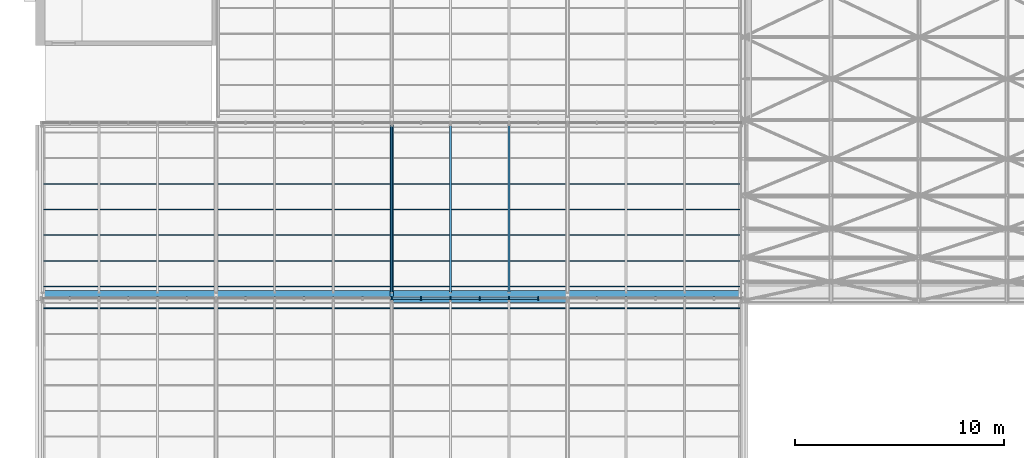
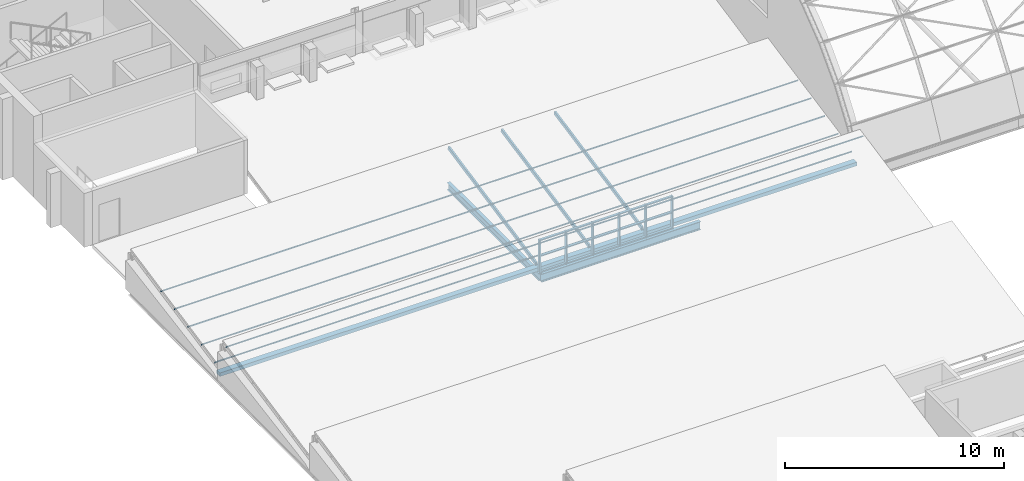
# One storey, part 23 of 121: 31 members, 2 beams, 1 element without a shape of its own.
"""IFC4 building model written with IfcOpenShell, lengths in metres."""

from ifc_helpers import new_model, si_unit, direction, frame, origin, origin_2d, place, context, subcontext, project, spatial, rectangle, hollow_rectangle, i_section, extrude, material, layer, layer_set, material_profile, profile_set, type_object, element, aggregate, save


model = new_model("IFC4")

# Units and contexts
model_context = context("Model", 3, precision=1e-05, world=origin(), true_north=direction((0.0, 1.0)))
body_context = subcontext(model_context, "Body", "Model", "MODEL_VIEW")
ifc_project = project(units=[si_unit("LENGTHUNIT", "METRE"), si_unit("AREAUNIT", "SQUARE_METRE"), si_unit("VOLUMEUNIT", "CUBIC_METRE"), si_unit("PLANEANGLEUNIT", "RADIAN"), si_unit("MASSUNIT", "GRAM", prefix="KILO")], contexts=[model_context])

# Site, building, storey
site_placement = place(None, origin())
site = spatial("IfcSite", under=ifc_project, at=site_placement, CompositionType="ELEMENT")
building_placement = place(site_placement, origin())
building = spatial("IfcBuilding", under=site, at=building_placement, Name="Ardhachandra Cancer Care Centre", CompositionType="ELEMENT")
storey_placement = place(building_placement, frame((0.0, 0.0, 9.0)))
storey = spatial("IfcBuildingStorey", under=building, at=storey_placement, Name="L02", CompositionType="ELEMENT", Elevation=9.0)

# Beams
ifc_material_1 = material(Name="Steel E350 (IS 2062)", Category="steel")
ifc_material_profile_1 = material_profile(ifc_material_1, i_section(OverallWidth=0.179931640625, OverallDepth=0.39990234375, WebThickness=0.008544921875, FlangeThickness=0.013427734375, FilletRadius=0.02099609375, at=origin_2d()), Name="NPB 400x180x66.30")
ifc_profile_set_1 = profile_set([ifc_material_profile_1], Name="Steel E350 (IS 2062)")
beam_type_1 = type_object("IfcBeamType", Name="Beam NPB 400x180x66.30", PredefinedType="BEAM", material=ifc_profile_set_1)
beam_1_placement = place(storey_placement, frame((27.60009765625, 54.60009765625, -0.199951171875), z_axis=(0.0, 1.0, 0.0), x_axis=(-1.0, 0.0, 0.0)))
element("IfcBeam", 1, at=beam_1_placement, inside=storey, type_object=beam_type_1, Name="Roof girder F3-G3", PredefinedType="BEAM", context=body_context, shape_type="SweptSolid", body=[
    extrude(i_section(OverallWidth=0.179931640625, OverallDepth=0.39990234375, WebThickness=0.008544921875, FlangeThickness=0.013427734375, FilletRadius=0.02099609375, at=origin_2d()), origin(), (0.0, 0.0, 1.0), 8.39990234375),
])
ifc_material_2 = material(Name="Steel E350 (IS 2062)", Category="steel")
ifc_material_profile_2 = material_profile(ifc_material_2, i_section(OverallWidth=0.19189453125, OverallDepth=0.4560546875, WebThickness=0.010986328125, FlangeThickness=0.017578125, FilletRadius=0.02099609375, at=origin_2d()), Name="NPB 450x190x92.36")
ifc_profile_set_2 = profile_set([ifc_material_profile_2], Name="Steel E350 (IS 2062)")
beam_type_2 = type_object("IfcBeamType", Name="Beam NPB 450x190x92.36", PredefinedType="BEAM", material=ifc_profile_set_2)
beam_2_placement = place(storey_placement, frame((27.60009765625, 54.60009765625, -0.22802734375), z_axis=(1.0, 0.0, 0.0), x_axis=(0.0, 1.0, 0.0)))
element("IfcBeam", 2, at=beam_2_placement, inside=storey, type_object=beam_type_2, Name="Roof girder F3-F4", PredefinedType="BEAM", context=body_context, shape_type="SweptSolid", body=[
    extrude(i_section(OverallWidth=0.19189453125, OverallDepth=0.4560546875, WebThickness=0.010986328125, FlangeThickness=0.017578125, FilletRadius=0.02099609375, at=origin_2d()), origin(), (0.0, 0.0, 1.0), 8.39990234375),
])

# Curtain wall, members
ifc_material_3 = material(Name="Aluminium extrusion", Category="aluminium")
ifc_layer = layer(ifc_material_3, 0.14990234375)
ifc_layer_set = layer_set([ifc_layer], Name="Aluminium extrusion")
curtain_wall_type = type_object("IfcCurtainWallType", Name="Curtain wall run", PredefinedType="NOTDEFINED", material=ifc_layer_set)
curtain_wall_placement = place(storey_placement, origin())
curtain_wall = element("IfcCurtainWall", 3, at=curtain_wall_placement, inside=storey, type_object=curtain_wall_type, Name="Curtain wall L02 n/0010800_0054700", PredefinedType="NOTDEFINED")
ifc_material_4 = material(Name="Aluminium extrusion", Category="aluminium")
ifc_material_profile_3 = material_profile(ifc_material_4, rectangle(XDim=0.159912109375, YDim=0.06005859375, at=origin_2d()), Name="Curtain wall mullion 60 x 160")
ifc_profile_set_3 = profile_set([ifc_material_profile_3], Name="Aluminium extrusion")
member_type_1 = type_object("IfcMemberType", Name="Curtain wall mullion 60 x 160", PredefinedType="MULLION", material=ifc_profile_set_3)
member_1_placement = place(storey_placement, frame((27.60009765625, 54.699951171875, 0.0), z_axis=(0.0, 0.0, 1.0), x_axis=(0.0, 1.0, 0.0)))
member_1 = element("IfcMember", 4, at=member_1_placement, type_object=member_type_1, Name="CW mullion 13", PredefinedType="MULLION", context=body_context, shape_type="SweptSolid", body=[
    extrude(rectangle(XDim=0.159912109375, YDim=0.06005859375, at=origin_2d()), origin(), (0.0, 0.0, 1.0), 1.820068359375),
])
member_2_placement = place(storey_placement, frame((29.0, 54.699951171875, 0.0), z_axis=(0.0, 0.0, 1.0), x_axis=(0.0, 1.0, 0.0)))
member_2 = element("IfcMember", 5, at=member_2_placement, type_object=member_type_1, Name="CW mullion 14", PredefinedType="MULLION", context=body_context, shape_type="SweptSolid", body=[
    extrude(rectangle(XDim=0.159912109375, YDim=0.06005859375, at=origin_2d()), origin(), (0.0, 0.0, 1.0), 1.820068359375),
])
member_3_placement = place(storey_placement, frame((30.39990234375, 54.699951171875, 0.0), z_axis=(0.0, 0.0, 1.0), x_axis=(0.0, 1.0, 0.0)))
member_3 = element("IfcMember", 6, at=member_3_placement, type_object=member_type_1, Name="CW mullion 15", PredefinedType="MULLION", context=body_context, shape_type="SweptSolid", body=[
    extrude(rectangle(XDim=0.159912109375, YDim=0.06005859375, at=origin_2d()), origin(), (0.0, 0.0, 1.0), 1.820068359375),
])
member_4_placement = place(storey_placement, frame((31.800048828125, 54.699951171875, 0.0), z_axis=(0.0, 0.0, 1.0), x_axis=(0.0, 1.0, 0.0)))
member_4 = element("IfcMember", 7, at=member_4_placement, type_object=member_type_1, Name="CW mullion 16", PredefinedType="MULLION", context=body_context, shape_type="SweptSolid", body=[
    extrude(rectangle(XDim=0.159912109375, YDim=0.06005859375, at=origin_2d()), origin(), (0.0, 0.0, 1.0), 1.820068359375),
])
member_5_placement = place(storey_placement, frame((33.199951171875, 54.699951171875, 0.0), z_axis=(0.0, 0.0, 1.0), x_axis=(0.0, 1.0, 0.0)))
member_5 = element("IfcMember", 8, at=member_5_placement, type_object=member_type_1, Name="CW mullion 17", PredefinedType="MULLION", context=body_context, shape_type="SweptSolid", body=[
    extrude(rectangle(XDim=0.159912109375, YDim=0.06005859375, at=origin_2d()), origin(), (0.0, 0.0, 1.0), 1.820068359375),
])
member_6_placement = place(storey_placement, frame((34.60009765625, 54.699951171875, 0.0), z_axis=(0.0, 0.0, 1.0), x_axis=(0.0, 1.0, 0.0)))
member_6 = element("IfcMember", 9, at=member_6_placement, type_object=member_type_1, Name="CW mullion 18", PredefinedType="MULLION", context=body_context, shape_type="SweptSolid", body=[
    extrude(rectangle(XDim=0.159912109375, YDim=0.06005859375, at=origin_2d()), origin(), (0.0, 0.0, 1.0), 1.820068359375),
])
ifc_material_5 = material(Name="Aluminium extrusion", Category="aluminium")
ifc_material_profile_4 = material_profile(ifc_material_5, rectangle(XDim=0.1201171875, YDim=0.06005859375, at=origin_2d()), Name="Curtain wall transom 60 x 120")
ifc_profile_set_4 = profile_set([ifc_material_profile_4], Name="Aluminium extrusion")
member_type_2 = type_object("IfcMemberType", Name="Curtain wall transom 60 x 120", PredefinedType="USERDEFINED", material=ifc_profile_set_4)
member_7_placement = place(storey_placement, frame((27.6298828125, 54.699951171875, 0.030029296875), z_axis=(1.0, 0.0, 0.0), x_axis=(0.0, 1.0, 0.0)))
member_7 = element("IfcMember", 10, at=member_7_placement, type_object=member_type_2, Name="CW transom 13.1", ObjectType="TRANSOM", PredefinedType="USERDEFINED", context=body_context, shape_type="SweptSolid", body=[
    extrude(rectangle(XDim=0.1201171875, YDim=0.06005859375, at=origin_2d()), origin(), (0.0, 0.0, 1.0), 1.340087890625),
])
member_8_placement = place(storey_placement, frame((27.6298828125, 54.699951171875, 0.909912109375), z_axis=(1.0, 0.0, 0.0), x_axis=(0.0, 1.0, 0.0)))
member_8 = element("IfcMember", 11, at=member_8_placement, type_object=member_type_2, Name="CW transom 13.2", ObjectType="TRANSOM", PredefinedType="USERDEFINED", context=body_context, shape_type="SweptSolid", body=[
    extrude(rectangle(XDim=0.1201171875, YDim=0.06005859375, at=origin_2d()), origin(), (0.0, 0.0, 1.0), 1.340087890625),
])
member_9_placement = place(storey_placement, frame((27.6298828125, 54.699951171875, 1.7900390625), z_axis=(1.0, 0.0, 0.0), x_axis=(0.0, 1.0, 0.0)))
member_9 = element("IfcMember", 12, at=member_9_placement, type_object=member_type_2, Name="CW transom 13.3", ObjectType="TRANSOM", PredefinedType="USERDEFINED", context=body_context, shape_type="SweptSolid", body=[
    extrude(rectangle(XDim=0.1201171875, YDim=0.06005859375, at=origin_2d()), origin(), (0.0, 0.0, 1.0), 1.340087890625),
])
member_10_placement = place(storey_placement, frame((29.030029296875, 54.699951171875, 0.030029296875), z_axis=(1.0, 0.0, 0.0), x_axis=(0.0, 1.0, 0.0)))
member_10 = element("IfcMember", 13, at=member_10_placement, type_object=member_type_2, Name="CW transom 14.1", ObjectType="TRANSOM", PredefinedType="USERDEFINED", context=body_context, shape_type="SweptSolid", body=[
    extrude(rectangle(XDim=0.1201171875, YDim=0.06005859375, at=origin_2d()), origin(), (0.0, 0.0, 1.0), 1.340087890625),
])
member_11_placement = place(storey_placement, frame((29.030029296875, 54.699951171875, 0.909912109375), z_axis=(1.0, 0.0, 0.0), x_axis=(0.0, 1.0, 0.0)))
member_11 = element("IfcMember", 14, at=member_11_placement, type_object=member_type_2, Name="CW transom 14.2", ObjectType="TRANSOM", PredefinedType="USERDEFINED", context=body_context, shape_type="SweptSolid", body=[
    extrude(rectangle(XDim=0.1201171875, YDim=0.06005859375, at=origin_2d()), origin(), (0.0, 0.0, 1.0), 1.340087890625),
])
member_12_placement = place(storey_placement, frame((29.030029296875, 54.699951171875, 1.7900390625), z_axis=(1.0, 0.0, 0.0), x_axis=(0.0, 1.0, 0.0)))
member_12 = element("IfcMember", 15, at=member_12_placement, type_object=member_type_2, Name="CW transom 14.3", ObjectType="TRANSOM", PredefinedType="USERDEFINED", context=body_context, shape_type="SweptSolid", body=[
    extrude(rectangle(XDim=0.1201171875, YDim=0.06005859375, at=origin_2d()), origin(), (0.0, 0.0, 1.0), 1.340087890625),
])
member_13_placement = place(storey_placement, frame((30.429931640625, 54.699951171875, 0.030029296875), z_axis=(1.0, 0.0, 0.0), x_axis=(0.0, 1.0, 0.0)))
member_13 = element("IfcMember", 16, at=member_13_placement, type_object=member_type_2, Name="CW transom 15.1", ObjectType="TRANSOM", PredefinedType="USERDEFINED", context=body_context, shape_type="SweptSolid", body=[
    extrude(rectangle(XDim=0.1201171875, YDim=0.06005859375, at=origin_2d()), origin(), (0.0, 0.0, 1.0), 1.340087890625),
])
member_14_placement = place(storey_placement, frame((30.429931640625, 54.699951171875, 0.909912109375), z_axis=(1.0, 0.0, 0.0), x_axis=(0.0, 1.0, 0.0)))
member_14 = element("IfcMember", 17, at=member_14_placement, type_object=member_type_2, Name="CW transom 15.2", ObjectType="TRANSOM", PredefinedType="USERDEFINED", context=body_context, shape_type="SweptSolid", body=[
    extrude(rectangle(XDim=0.1201171875, YDim=0.06005859375, at=origin_2d()), origin(), (0.0, 0.0, 1.0), 1.340087890625),
])
member_15_placement = place(storey_placement, frame((30.429931640625, 54.699951171875, 1.7900390625), z_axis=(1.0, 0.0, 0.0), x_axis=(0.0, 1.0, 0.0)))
member_15 = element("IfcMember", 18, at=member_15_placement, type_object=member_type_2, Name="CW transom 15.3", ObjectType="TRANSOM", PredefinedType="USERDEFINED", context=body_context, shape_type="SweptSolid", body=[
    extrude(rectangle(XDim=0.1201171875, YDim=0.06005859375, at=origin_2d()), origin(), (0.0, 0.0, 1.0), 1.340087890625),
])
member_16_placement = place(storey_placement, frame((31.830078125, 54.699951171875, 0.030029296875), z_axis=(1.0, 0.0, 0.0), x_axis=(0.0, 1.0, 0.0)))
member_16 = element("IfcMember", 19, at=member_16_placement, type_object=member_type_2, Name="CW transom 16.1", ObjectType="TRANSOM", PredefinedType="USERDEFINED", context=body_context, shape_type="SweptSolid", body=[
    extrude(rectangle(XDim=0.1201171875, YDim=0.06005859375, at=origin_2d()), origin(), (0.0, 0.0, 1.0), 1.33984375),
])
member_17_placement = place(storey_placement, frame((31.830078125, 54.699951171875, 0.909912109375), z_axis=(1.0, 0.0, 0.0), x_axis=(0.0, 1.0, 0.0)))
member_17 = element("IfcMember", 20, at=member_17_placement, type_object=member_type_2, Name="CW transom 16.2", ObjectType="TRANSOM", PredefinedType="USERDEFINED", context=body_context, shape_type="SweptSolid", body=[
    extrude(rectangle(XDim=0.1201171875, YDim=0.06005859375, at=origin_2d()), origin(), (0.0, 0.0, 1.0), 1.33984375),
])
member_18_placement = place(storey_placement, frame((31.830078125, 54.699951171875, 1.7900390625), z_axis=(1.0, 0.0, 0.0), x_axis=(0.0, 1.0, 0.0)))
member_18 = element("IfcMember", 21, at=member_18_placement, type_object=member_type_2, Name="CW transom 16.3", ObjectType="TRANSOM", PredefinedType="USERDEFINED", context=body_context, shape_type="SweptSolid", body=[
    extrude(rectangle(XDim=0.1201171875, YDim=0.06005859375, at=origin_2d()), origin(), (0.0, 0.0, 1.0), 1.33984375),
])
member_19_placement = place(storey_placement, frame((33.22998046875, 54.699951171875, 0.030029296875), z_axis=(1.0, 0.0, 0.0), x_axis=(0.0, 1.0, 0.0)))
member_19 = element("IfcMember", 22, at=member_19_placement, type_object=member_type_2, Name="CW transom 17.1", ObjectType="TRANSOM", PredefinedType="USERDEFINED", context=body_context, shape_type="SweptSolid", body=[
    extrude(rectangle(XDim=0.1201171875, YDim=0.06005859375, at=origin_2d()), origin(), (0.0, 0.0, 1.0), 1.340087890625),
])
member_20_placement = place(storey_placement, frame((33.22998046875, 54.699951171875, 0.909912109375), z_axis=(1.0, 0.0, 0.0), x_axis=(0.0, 1.0, 0.0)))
member_20 = element("IfcMember", 23, at=member_20_placement, type_object=member_type_2, Name="CW transom 17.2", ObjectType="TRANSOM", PredefinedType="USERDEFINED", context=body_context, shape_type="SweptSolid", body=[
    extrude(rectangle(XDim=0.1201171875, YDim=0.06005859375, at=origin_2d()), origin(), (0.0, 0.0, 1.0), 1.340087890625),
])
member_21_placement = place(storey_placement, frame((33.22998046875, 54.699951171875, 1.7900390625), z_axis=(1.0, 0.0, 0.0), x_axis=(0.0, 1.0, 0.0)))
member_21 = element("IfcMember", 24, at=member_21_placement, type_object=member_type_2, Name="CW transom 17.3", ObjectType="TRANSOM", PredefinedType="USERDEFINED", context=body_context, shape_type="SweptSolid", body=[
    extrude(rectangle(XDim=0.1201171875, YDim=0.06005859375, at=origin_2d()), origin(), (0.0, 0.0, 1.0), 1.340087890625),
])
aggregate(curtain_wall, [member_1, member_2, member_3, member_4, member_5, member_6, member_7, member_8, member_9, member_10, member_11, member_12, member_13, member_14, member_15, member_16, member_17, member_18, member_19, member_20, member_21])

# Members
ifc_material_6 = material(Name="Steel E350 (IS 2062)", Category="steel")
ifc_material_profile_5 = material_profile(ifc_material_6, hollow_rectangle(XDim=0.0400390625, YDim=0.080078125, WallThickness=0.00390625, InnerFilletRadius=0.00390625, OuterFilletRadius=0.008056640625, at=origin_2d()), Name="RHS 80x40x4.0")
ifc_profile_set_5 = profile_set([ifc_material_profile_5], Name="Steel E350 (IS 2062)")
member_type_3 = type_object("IfcMemberType", Name="Roof purlin RHS 80x40x4.0", PredefinedType="PURLIN", material=ifc_profile_set_5)
for number, where, z_axis, x_axis, name in (
    (25, (10.800048828125, 54.232421875, 1.990478515625), (1.0, 0.0, 0.0), (0.0, 0.980106641092, 0.198471590126), "Purlin T3a.7"),
    (26, (10.800048828125, 55.2724609375, 0.5), (1.0, 0.0, 0.0), (0.0, 0.980106641092, 0.198471590126), "Purlin T4a.1"),
    (27, (10.800048828125, 56.4990234375, 0.74853515625), (1.0, 0.0, 0.0), (0.0, 0.980106641092, 0.198471590126), "Purlin T4a.2"),
    (28, (10.800048828125, 57.7255859375, 0.996826171875), (1.0, 0.0, 0.0), (0.0, 0.980106641092, 0.198471590126), "Purlin T4a.3"),
    (29, (10.800048828125, 58.952392578125, 1.2451171875), (1.0, 0.0, 0.0), (0.0, 0.980106641092, 0.198471590126), "Purlin T4a.4"),
    (30, (10.800048828125, 60.178955078125, 1.49365234375), (1.0, 0.0, 0.0), (0.0, 0.980106641092, 0.198471590126), "Purlin T4a.5"),
):
    element("IfcMember", number, at=place(storey_placement, frame(where, z_axis=z_axis, x_axis=x_axis)), inside=storey, type_object=member_type_3, Name=name, PredefinedType="PURLIN", context=body_context, shape_type="SweptSolid", body=[
        extrude(hollow_rectangle(XDim=0.0400390625, YDim=0.080078125, WallThickness=0.00390625, InnerFilletRadius=0.00390625, OuterFilletRadius=0.008056640625, at=origin_2d()), origin(), (0.0, 0.0, 1.0), 33.599853515625),
    ])
ifc_material_7 = material(Name="Steel E350 (IS 2062)", Category="steel")
ifc_material_profile_6 = material_profile(ifc_material_7, hollow_rectangle(XDim=0.10009765625, YDim=0.199951171875, WallThickness=0.006103515625, InnerFilletRadius=0.006103515625, OuterFilletRadius=0.011962890625, at=origin_2d()), Name="RHS 200x100x6.0")
ifc_profile_set_6 = profile_set([ifc_material_profile_6], Name="Steel E350 (IS 2062)")
member_type_4 = type_object("IfcMemberType", Name="Roof rafter RHS 200x100x6.0", PredefinedType="RAFTER", material=ifc_profile_set_6)
for number, where, z_axis, x_axis, name in (
    (31, (27.60009765625, 54.980224609375, 0.298095703125), (0.0, 0.980109665583, 0.198456653782), (-1.0, 0.0, 0.0), "Rafter T4a.7"),
    (32, (30.39990234375, 54.980224609375, 0.298095703125), (0.0, 0.980109665583, 0.198456653782), (-1.0, 0.0, 0.0), "Rafter T4a.8"),
    (33, (33.199951171875, 54.980224609375, 0.298095703125), (0.0, 0.980109665583, 0.198456653782), (-1.0, 0.0, 0.0), "Rafter T4a.9"),
):
    element("IfcMember", number, at=place(storey_placement, frame(where, z_axis=z_axis, x_axis=x_axis)), inside=storey, type_object=member_type_4, Name=name, PredefinedType="RAFTER", context=body_context, shape_type="SweptSolid", body=[
        extrude(hollow_rectangle(XDim=0.10009765625, YDim=0.199951171875, WallThickness=0.006103515625, InnerFilletRadius=0.006103515625, OuterFilletRadius=0.011962890625, at=origin_2d()), origin(), (0.0, 0.0, 1.0), 8.162353515625),
    ])
ifc_material_8 = material(Name="Stainless steel sheet gutter on galvanised steel cradle", Category="steel")
ifc_material_profile_7 = material_profile(ifc_material_8, rectangle(XDim=0.300048828125, YDim=0.199951171875, at=origin_2d()), Name="Valley gutter 300 x 200")
ifc_profile_set_7 = profile_set([ifc_material_profile_7], Name="Stainless steel sheet gutter on galvanised steel cradle")
member_type_5 = type_object("IfcMemberType", Name="Valley gutter 300 x 200", PredefinedType="USERDEFINED", material=ifc_profile_set_7)
member_22_placement = place(storey_placement, frame((10.800048828125, 54.93994140625, 0.10009765625), z_axis=(1.0, 0.0, 0.0), x_axis=(0.0, 1.0, 0.0)))
element("IfcMember", 34, at=member_22_placement, inside=storey, type_object=member_type_5, Name="Valley gutter T4a", ObjectType="GUTTER", PredefinedType="USERDEFINED", context=body_context, shape_type="SweptSolid", body=[
    extrude(rectangle(XDim=0.300048828125, YDim=0.199951171875, at=origin_2d()), origin(), (0.0, 0.0, 1.0), 33.599853515625),
])

save(model, "model.ifc")
